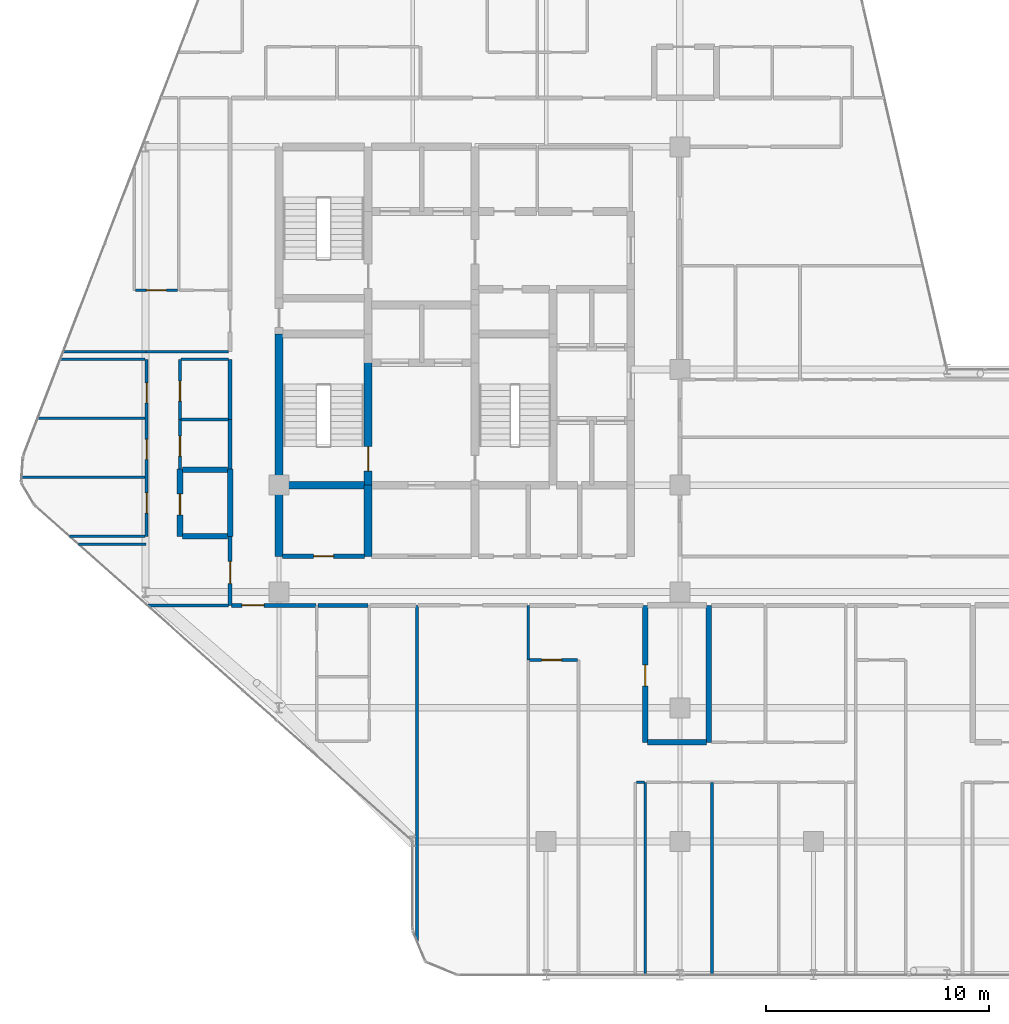
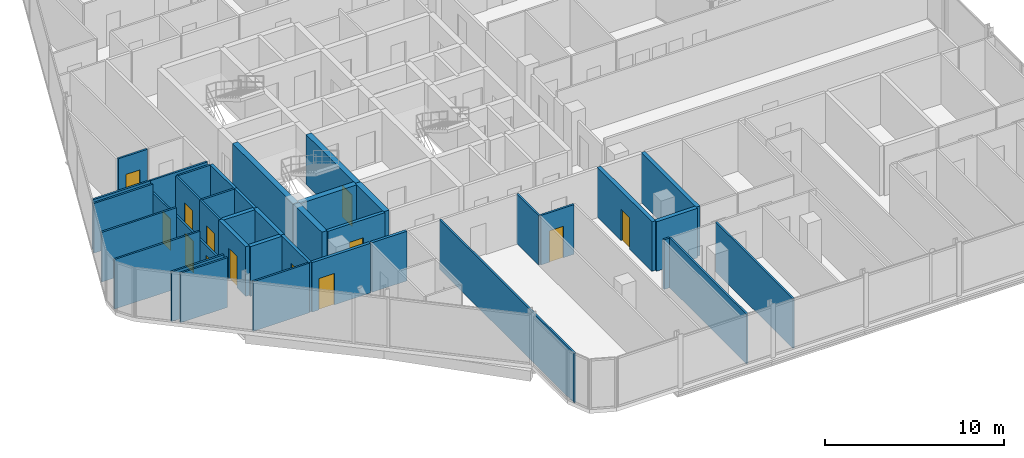
# One storey, part 23 of 29: 38 walls, 13 doors, 13 openings.
"""IFC4 building model written with IfcOpenShell, lengths in metres."""

from ifc_helpers import new_model, si_unit, direction, frame, frame_2d, origin, place, context, subcontext, project, spatial, rectangle, extrude, material, layer, layer_set, type_object, element, fill, save


model = new_model("IFC4")

# Units and contexts
model_context = context("Model", 3, precision=1e-05, world=origin(), true_north=direction((0.0, 1.0)))
body_context = subcontext(model_context, "Body", "Model", "MODEL_VIEW")
ifc_project = project(units=[si_unit("LENGTHUNIT", "METRE"), si_unit("AREAUNIT", "SQUARE_METRE"), si_unit("VOLUMEUNIT", "CUBIC_METRE"), si_unit("PLANEANGLEUNIT", "RADIAN"), si_unit("MASSUNIT", "GRAM", prefix="KILO")], contexts=[model_context])

# Site, building, storey
site_placement = place(None, origin())
site = spatial("IfcSite", under=ifc_project, at=site_placement, CompositionType="ELEMENT")
building_placement = place(site_placement, origin())
building = spatial("IfcBuilding", under=site, at=building_placement, Name="Keshet Zoharim Tower", CompositionType="ELEMENT")
storey_placement = place(building_placement, frame((0.0, 0.0, 192.10009765625)))
storey = spatial("IfcBuildingStorey", under=building, at=storey_placement, Name="L47", CompositionType="ELEMENT", Elevation=192.10009765625)

# Walls
ifc_material_1 = material(Name="Concrete C60/75", Category="concrete")
ifc_layer_1 = layer(ifc_material_1, 0.35009765625)
ifc_layer_set_1 = layer_set([ifc_layer_1], Name="Concrete C60/75")
wall_type_1 = type_object("IfcWallType", Name="WL-CORE-350", PredefinedType="SHEAR", material=ifc_layer_set_1)
wall_1_placement = place(storey_placement, frame((15.0, 19.5, 0.0), z_axis=(0.0, 0.0, 1.0), x_axis=(0.0, 1.0, 0.0)))
element("IfcWall", 1, at=wall_1_placement, inside=storey, type_object=wall_type_1, Name="L47 Core Shear Wall 016", PredefinedType="SHEAR", context=body_context, shape_type="SweptSolid", body=[
    extrude(rectangle(XDim=3.199951171875, YDim=0.35009765625, at=frame_2d((1.60009765625, 0.0))), origin(), (0.0, 0.0, 1.0), 3.389892578125),
])
wall_2_placement = place(storey_placement, frame((15.0, 22.699951171875, 0.0), z_axis=(0.0, 0.0, 1.0), x_axis=(0.0, 1.0, 0.0)))
element("IfcWall", 2, at=wall_2_placement, inside=storey, type_object=wall_type_1, Name="L47 Core Shear Wall 017", PredefinedType="SHEAR", context=body_context, shape_type="SweptSolid", body=[
    extrude(rectangle(XDim=6.800048828125, YDim=0.35009765625, at=frame_2d((3.39990234375, 0.0))), origin(), (0.0, 0.0, 1.0), 3.389892578125),
])
wall_3_placement = place(storey_placement, frame((19.0, 19.5, 0.0), z_axis=(0.0, 0.0, 1.0), x_axis=(0.0, 1.0, 0.0)))
element("IfcWall", 3, at=wall_3_placement, inside=storey, type_object=wall_type_1, Name="L47 Core Shear Wall 024", PredefinedType="SHEAR", context=body_context, shape_type="SweptSolid", body=[
    extrude(rectangle(XDim=3.199951171875, YDim=0.35009765625, at=frame_2d((1.60009765625, 0.0))), origin(), (0.0, 0.0, 1.0), 3.389892578125),
])

# Wall, opening, door
wall_4_placement = place(storey_placement, frame((19.0, 22.699951171875, 0.0), z_axis=(0.0, 0.0, 1.0), x_axis=(0.0, 1.0, 0.0)))
wall_4 = element("IfcWall", 4, at=wall_4_placement, inside=storey, type_object=wall_type_1, Name="L47 Core Shear Wall 025", PredefinedType="SHEAR", context=body_context, shape_type="SweptSolid", body=[
    extrude(rectangle(XDim=5.5, YDim=0.35009765625, at=frame_2d((2.75, 0.0))), origin(), (0.0, 0.0, 1.0), 3.389892578125),
])
opening_1_placement = place(wall_4_placement, frame((0.631103515625, 0.0, 0.0)))
opening_1 = element("IfcOpeningElement", 5, at=opening_1_placement, cuts=wall_4, Name="Opening D-F611", PredefinedType="OPENING", context=body_context, shape_type="SweptSolid", body=[
    extrude(rectangle(XDim=1.10009765625, YDim=2.14990234375, at=frame_2d((0.550048828125, 1.074951171875))), frame((0.0, 0.18505859375, 0.0), z_axis=(0.0, -1.0, 0.0), x_axis=(1.0, 0.0, 0.0)), (0.0, 0.0, 1.0), 0.3701171875),
])
ifc_material_2 = material(Name="Hardwood Timber", Category="wood")
door_type_1 = type_object("IfcDoorType", Name="DR-FD60-110", OperationType="NOTDEFINED", PredefinedType="DOOR", material=ifc_material_2)
door_1_placement = place(opening_1_placement, origin())
door_1 = element("IfcDoor", 6, at=door_1_placement, inside=storey, type_object=door_type_1, Name="L47 Exit Stair ST-01 Fire Door", OperationType="SINGLE_SWING_RIGHT", OverallHeight=2.14990234375, OverallWidth=1.10009765625, PredefinedType="DOOR", context=body_context, shape_type="SweptSolid", body=[
    extrude(rectangle(XDim=1.10009765625, YDim=2.14990234375, at=frame_2d((0.550048828125, 1.074951171875))), frame((0.0, 0.02490234375, 0.0), z_axis=(0.0, -1.0, 0.0), x_axis=(1.0, 0.0, 0.0)), (0.0, 0.0, 1.0), 0.050048828125),
])
fill(opening_1, door_1)

# Wall
wall_5_placement = place(storey_placement, frame((15.159912109375, 22.699951171875, 0.0), z_axis=(0.0, 0.0, 1.0), x_axis=(1.0, 0.0, 0.0)))
element("IfcWall", 7, at=wall_5_placement, inside=storey, type_object=wall_type_1, Name="L47 Core Shear Wall 142", PredefinedType="SHEAR", context=body_context, shape_type="SweptSolid", body=[
    extrude(rectangle(XDim=3.68017578125, YDim=0.35009765625, at=frame_2d((1.840087890625, 0.0))), origin(), (0.0, 0.0, 1.0), 3.389892578125),
])

# Wall, opening, door
ifc_material_3 = material(Name="Gypsum Plasterboard", Category="gypsum")
ifc_layer_2 = layer(ifc_material_3, 0.179931640625)
ifc_layer_set_2 = layer_set([ifc_layer_2], Name="Gypsum Plasterboard")
wall_type_2 = type_object("IfcWallType", Name="WL-CORR-180", PredefinedType="STANDARD", material=ifc_layer_set_2)
wall_6_placement = place(storey_placement, frame((12.800048828125, 17.300048828125, 0.0), z_axis=(0.0, 0.0, 1.0), x_axis=(0.0, 1.0, 0.0)))
wall_6 = element("IfcWall", 8, at=wall_6_placement, inside=storey, type_object=wall_type_2, Name="L47 Interior Wall 007", PredefinedType="STANDARD", context=body_context, shape_type="SweptSolid", body=[
    extrude(rectangle(XDim=3.099853515625, YDim=0.179931640625, at=frame_2d((1.5498046875, 0.0))), origin(), (0.0, 0.0, 1.0), 3.389892578125),
])
opening_2_placement = place(wall_6_placement, frame((0.97802734375, 0.0, 0.0)))
opening_2 = element("IfcOpeningElement", 9, at=opening_2_placement, cuts=wall_6, Name="Opening D-F310", PredefinedType="OPENING", context=body_context, shape_type="SweptSolid", body=[
    extrude(rectangle(XDim=1.0, YDim=2.14990234375, at=frame_2d((0.5, 1.074951171875))), frame((0.0, 0.10009765625, 0.0), z_axis=(0.0, -1.0, 0.0), x_axis=(1.0, 0.0, 0.0)), (0.0, 0.0, 1.0), 0.199951171875),
])
door_type_2 = type_object("IfcDoorType", Name="DR-FD30-100", OperationType="NOTDEFINED", PredefinedType="DOOR", material=ifc_material_2)
door_2_placement = place(opening_2_placement, origin())
door_2 = element("IfcDoor", 10, at=door_2_placement, inside=storey, type_object=door_type_2, Name="Apartment 4706 Entrance Door", OperationType="SINGLE_SWING_RIGHT", OverallHeight=2.14990234375, OverallWidth=1.0, PredefinedType="DOOR", context=body_context, shape_type="SweptSolid", body=[
    extrude(rectangle(XDim=1.0, YDim=2.14990234375, at=frame_2d((0.5, 1.074951171875))), frame((0.0, 0.02490234375, 0.0), z_axis=(0.0, -1.0, 0.0), x_axis=(1.0, 0.0, 0.0)), (0.0, 0.0, 1.0), 0.050048828125),
])
fill(opening_2, door_2)

# Walls
wall_7_placement = place(storey_placement, frame((12.800048828125, 23.4208984375, 0.0), z_axis=(0.0, 0.0, 1.0), x_axis=(0.0, 1.0, 0.0)))
element("IfcWall", 11, at=wall_7_placement, inside=storey, type_object=wall_type_2, Name="L47 Interior Wall 009", PredefinedType="STANDARD", context=body_context, shape_type="SweptSolid", body=[
    extrude(rectangle(XDim=2.22607421875, YDim=0.179931640625, at=frame_2d((1.113037109375, 0.0))), origin(), (0.0, 0.0, 1.0), 3.389892578125),
])
wall_8_placement = place(storey_placement, frame((12.800048828125, 25.64697265625, 0.0), z_axis=(0.0, 0.0, 1.0), x_axis=(0.0, 1.0, 0.0)))
element("IfcWall", 12, at=wall_8_placement, inside=storey, type_object=wall_type_2, Name="L47 Interior Wall 010", PredefinedType="STANDARD", context=body_context, shape_type="SweptSolid", body=[
    extrude(rectangle(XDim=2.703125, YDim=0.179931640625, at=frame_2d((1.3515625, 0.0))), origin(), (0.0, 0.0, 1.0), 3.389892578125),
])

# Wall, opening, door
wall_9_placement = place(storey_placement, frame((12.875, 17.300048828125, 0.0), z_axis=(0.0, 0.0, 1.0), x_axis=(1.0, 0.0, 0.0)))
wall_9 = element("IfcWall", 13, at=wall_9_placement, inside=storey, type_object=wall_type_2, Name="L47 Interior Wall 120", PredefinedType="STANDARD", context=body_context, shape_type="SweptSolid", body=[
    extrude(rectangle(XDim=3.780029296875, YDim=0.179931640625, at=frame_2d((1.89013671875, 0.0))), origin(), (0.0, 0.0, 1.0), 3.389892578125),
])
opening_3_placement = place(wall_9_placement, frame((0.4580078125, 0.0, 0.0)))
opening_3 = element("IfcOpeningElement", 14, at=opening_3_placement, cuts=wall_9, Name="Opening D-F310", PredefinedType="OPENING", context=body_context, shape_type="SweptSolid", body=[
    extrude(rectangle(XDim=1.0, YDim=2.14990234375, at=frame_2d((0.5, 1.074951171875))), frame((0.0, 0.10009765625, 0.0), z_axis=(0.0, -1.0, 0.0), x_axis=(1.0, 0.0, 0.0)), (0.0, 0.0, 1.0), 0.199951171875),
])
door_3_placement = place(opening_3_placement, origin())
door_3 = element("IfcDoor", 15, at=door_3_placement, inside=storey, type_object=door_type_2, Name="Apartment 4701 Entrance Door", OperationType="SINGLE_SWING_LEFT", OverallHeight=2.14990234375, OverallWidth=1.0, PredefinedType="DOOR", context=body_context, shape_type="SweptSolid", body=[
    extrude(rectangle(XDim=1.0, YDim=2.14990234375, at=frame_2d((0.5, 1.074951171875))), frame((0.0, 0.02490234375, 0.0), z_axis=(0.0, -1.0, 0.0), x_axis=(1.0, 0.0, 0.0)), (0.0, 0.0, 1.0), 0.050048828125),
])
fill(opening_3, door_3)

# Wall
wall_10_placement = place(storey_placement, frame((16.7451171875, 17.300048828125, 0.0), z_axis=(0.0, 0.0, 1.0), x_axis=(1.0, 0.0, 0.0)))
element("IfcWall", 16, at=wall_10_placement, inside=storey, type_object=wall_type_2, Name="L47 Interior Wall 121", PredefinedType="STANDARD", context=body_context, shape_type="SweptSolid", body=[
    extrude(rectangle(XDim=2.259765625, YDim=0.179931640625, at=frame_2d((1.1298828125, 0.0))), origin(), (0.0, 0.0, 1.0), 3.389892578125),
])

# Wall, opening, door
ifc_material_4 = material(Name="Concrete C50/60", Category="concrete")
ifc_layer_3 = layer(ifc_material_4, 0.199951171875)
ifc_layer_set_3 = layer_set([ifc_layer_3], Name="Concrete C50/60")
wall_type_3 = type_object("IfcWallType", Name="WL-FIRE-200", PredefinedType="STANDARD", material=ifc_layer_set_3)
wall_11_placement = place(storey_placement, frame((15.159912109375, 19.5, 0.0), z_axis=(0.0, 0.0, 1.0), x_axis=(1.0, 0.0, 0.0)))
wall_11 = element("IfcWall", 17, at=wall_11_placement, inside=storey, type_object=wall_type_3, Name="L47 Interior Wall 134", PredefinedType="STANDARD", context=body_context, shape_type="SweptSolid", body=[
    extrude(rectangle(XDim=3.68017578125, YDim=0.199951171875, at=frame_2d((1.840087890625, 0.0))), origin(), (0.0, 0.0, 1.0), 3.389892578125),
])
opening_4_placement = place(wall_11_placement, frame((1.389892578125, 0.0, 0.0)))
opening_4 = element("IfcOpeningElement", 18, at=opening_4_placement, cuts=wall_11, Name="Opening D-F690", PredefinedType="OPENING", context=body_context, shape_type="SweptSolid", body=[
    extrude(rectangle(XDim=0.89990234375, YDim=2.14990234375, at=frame_2d((0.449951171875, 1.074951171875))), frame((0.0, 0.10986328125, 0.0), z_axis=(0.0, -1.0, 0.0), x_axis=(1.0, 0.0, 0.0)), (0.0, 0.0, 1.0), 0.219970703125),
])
door_type_3 = type_object("IfcDoorType", Name="DR-FD60-090", OperationType="NOTDEFINED", PredefinedType="DOOR", material=ifc_material_2)
door_4_placement = place(opening_4_placement, origin())
door_4 = element("IfcDoor", 19, at=door_4_placement, inside=storey, type_object=door_type_3, Name="L47 Pram Store Door", OperationType="SINGLE_SWING_LEFT", OverallHeight=2.14990234375, OverallWidth=0.89990234375, PredefinedType="DOOR", context=body_context, shape_type="SweptSolid", body=[
    extrude(rectangle(XDim=0.89990234375, YDim=2.14990234375, at=frame_2d((0.449951171875, 1.074951171875))), frame((0.0, 0.02490234375, 0.0), z_axis=(0.0, -1.0, 0.0), x_axis=(1.0, 0.0, 0.0)), (0.0, 0.0, 1.0), 0.050048828125),
])
fill(opening_4, door_4)

ifc_layer_4 = layer(ifc_material_4, 0.25)
ifc_layer_set_4 = layer_set([ifc_layer_4], Name="Concrete C50/60")
wall_type_4 = type_object("IfcWallType", Name="WL-MAMAD-250", PredefinedType="STANDARD", material=ifc_layer_set_4)
wall_12_placement = place(storey_placement, frame((10.550048828125, 20.39990234375, 0.0), z_axis=(0.0, 0.0, 1.0), x_axis=(0.0, 1.0, 0.0)))
wall_12 = element("IfcWall", 20, at=wall_12_placement, inside=storey, type_object=wall_type_4, Name="L47 Interior Wall 004", PredefinedType="STANDARD", context=body_context, shape_type="SweptSolid", body=[
    extrude(rectangle(XDim=3.02099609375, YDim=0.25, at=frame_2d((1.510498046875, 0.0))), origin(), (0.0, 0.0, 1.0), 3.389892578125),
])
opening_5_placement = place(wall_12_placement, frame((0.964111328125, 0.0, 0.0)))
opening_5 = element("IfcOpeningElement", 21, at=opening_5_placement, cuts=wall_12, Name="Opening D-F695", PredefinedType="OPENING", context=body_context, shape_type="SweptSolid", body=[
    extrude(rectangle(XDim=0.949951171875, YDim=2.14990234375, at=frame_2d((0.47509765625, 1.074951171875))), frame((0.0, 0.135009765625, 0.0), z_axis=(0.0, -1.0, 0.0), x_axis=(1.0, 0.0, 0.0)), (0.0, 0.0, 1.0), 0.27001953125),
])
door_type_4 = type_object("IfcDoorType", Name="DR-FD60-095", OperationType="NOTDEFINED", PredefinedType="DOOR", material=ifc_material_2)
door_5_placement = place(opening_5_placement, origin())
door_5 = element("IfcDoor", 22, at=door_5_placement, inside=storey, type_object=door_type_4, Name="Apartment 4706 Study and Shelter Room Door", OperationType="SINGLE_SWING_LEFT", OverallHeight=2.14990234375, OverallWidth=0.949951171875, PredefinedType="DOOR", context=body_context, shape_type="SweptSolid", body=[
    extrude(rectangle(XDim=0.949951171875, YDim=2.14990234375, at=frame_2d((0.47509765625, 1.074951171875))), frame((0.0, 0.02490234375, 0.0), z_axis=(0.0, -1.0, 0.0), x_axis=(1.0, 0.0, 0.0)), (0.0, 0.0, 1.0), 0.050048828125),
])
fill(opening_5, door_5)

# Wall
wall_13_placement = place(storey_placement, frame((12.800048828125, 20.39990234375, 0.0), z_axis=(0.0, 0.0, 1.0), x_axis=(0.0, 1.0, 0.0)))
element("IfcWall", 23, at=wall_13_placement, inside=storey, type_object=wall_type_4, Name="L47 Interior Wall 008", PredefinedType="STANDARD", context=body_context, shape_type="SweptSolid", body=[
    extrude(rectangle(XDim=3.02099609375, YDim=0.25, at=frame_2d((1.510498046875, 0.0))), origin(), (0.0, 0.0, 1.0), 3.389892578125),
])

# Wall, opening, door
wall_14_placement = place(storey_placement, frame((31.449951171875, 11.14990234375, 0.0), z_axis=(0.0, 0.0, 1.0), x_axis=(0.0, 1.0, 0.0)))
wall_14 = element("IfcWall", 24, at=wall_14_placement, inside=storey, type_object=wall_type_4, Name="L47 Interior Wall 069", PredefinedType="STANDARD", context=body_context, shape_type="SweptSolid", body=[
    extrude(rectangle(XDim=6.150146484375, YDim=0.25, at=frame_2d((3.0751953125, 0.0))), origin(), (0.0, 0.0, 1.0), 3.389892578125),
])
opening_6_placement = place(wall_14_placement, frame((2.529052734375, 0.0, 0.0)))
opening_6 = element("IfcOpeningElement", 25, at=opening_6_placement, cuts=wall_14, Name="Opening D-F695", PredefinedType="OPENING", context=body_context, shape_type="SweptSolid", body=[
    extrude(rectangle(XDim=0.949951171875, YDim=2.14990234375, at=frame_2d((0.47509765625, 1.074951171875))), frame((0.0, 0.135009765625, 0.0), z_axis=(0.0, -1.0, 0.0), x_axis=(1.0, 0.0, 0.0)), (0.0, 0.0, 1.0), 0.27001953125),
])
door_6_placement = place(opening_6_placement, origin())
door_6 = element("IfcDoor", 26, at=door_6_placement, inside=storey, type_object=door_type_4, Name="Apartment 4702 Study and Shelter Room Door", OperationType="SINGLE_SWING_LEFT", OverallHeight=2.14990234375, OverallWidth=0.949951171875, PredefinedType="DOOR", context=body_context, shape_type="SweptSolid", body=[
    extrude(rectangle(XDim=0.949951171875, YDim=2.14990234375, at=frame_2d((0.47509765625, 1.074951171875))), frame((0.0, 0.02490234375, 0.0), z_axis=(0.0, -1.0, 0.0), x_axis=(1.0, 0.0, 0.0)), (0.0, 0.0, 1.0), 0.050048828125),
])
fill(opening_6, door_6)

# Walls
wall_15_placement = place(storey_placement, frame((34.300048828125, 11.14990234375, 0.0), z_axis=(0.0, 0.0, 1.0), x_axis=(0.0, 1.0, 0.0)))
element("IfcWall", 27, at=wall_15_placement, inside=storey, type_object=wall_type_4, Name="L47 Interior Wall 076", PredefinedType="STANDARD", context=body_context, shape_type="SweptSolid", body=[
    extrude(rectangle(XDim=6.150146484375, YDim=0.25, at=frame_2d((3.0751953125, 0.0))), origin(), (0.0, 0.0, 1.0), 3.389892578125),
])
wall_16_placement = place(storey_placement, frame((31.56005859375, 11.14990234375, 0.0), z_axis=(0.0, 0.0, 1.0), x_axis=(1.0, 0.0, 0.0)))
element("IfcWall", 28, at=wall_16_placement, inside=storey, type_object=wall_type_4, Name="L47 Interior Wall 109", PredefinedType="STANDARD", context=body_context, shape_type="SweptSolid", body=[
    extrude(rectangle(XDim=2.64501953125, YDim=0.25, at=frame_2d((1.322509765625, 0.0))), origin(), (0.0, 0.0, 1.0), 3.389892578125),
])
for number, where, z_axis, x_axis, name in (
    (29, (10.659912109375, 20.39990234375, 0.0), (0.0, 0.0, 1.0), (1.0, 0.0, 0.0), "L47 Interior Wall 141"),
    (30, (10.659912109375, 23.39990234375, 0.0), (0.0, 0.0, 1.0), (1.0, 0.0, 0.0), "L47 Interior Wall 148"),
):
    element("IfcWall", number, at=place(storey_placement, frame(where, z_axis=z_axis, x_axis=x_axis)), inside=storey, type_object=wall_type_4, Name=name, PredefinedType="STANDARD", context=body_context, shape_type="SweptSolid", body=[
        extrude(rectangle(XDim=2.030029296875, YDim=0.25, at=frame_2d((1.01513671875, 0.0))), origin(), (0.0, 0.0, 1.0), 3.389892578125),
    ])

# Wall, openings, doors
ifc_layer_5 = layer(ifc_material_3, 0.1201171875)
ifc_layer_set_5 = layer_set([ifc_layer_5], Name="Gypsum Plasterboard")
wall_type_5 = type_object("IfcWallType", Name="WL-PART-120", PredefinedType="PARTITIONING", material=ifc_layer_set_5)
wall_17_placement = place(storey_placement, frame((9.050048828125, 20.39990234375, 0.0), z_axis=(0.0, 0.0, 1.0), x_axis=(0.0, 1.0, 0.0)))
wall_17 = element("IfcWall", 31, at=wall_17_placement, inside=storey, type_object=wall_type_5, Name="L47 Interior Wall 002", PredefinedType="PARTITIONING", context=body_context, shape_type="SweptSolid", body=[
    extrude(rectangle(XDim=7.9501953125, YDim=0.1201171875, at=frame_2d((3.97509765625, 0.0))), origin(), (0.0, 0.0, 1.0), 2.789794921875),
])
opening_7_placement = place(wall_17_placement, frame((1.050048828125, 0.0, 0.0)))
opening_7 = element("IfcOpeningElement", 32, at=opening_7_placement, cuts=wall_17, Name="Opening D-IN90", PredefinedType="OPENING", context=body_context, shape_type="SweptSolid", body=[
    extrude(rectangle(XDim=0.89990234375, YDim=2.14990234375, at=frame_2d((0.449951171875, 1.074951171875))), frame((0.0, 0.070068359375, 0.0), z_axis=(0.0, -1.0, 0.0), x_axis=(1.0, 0.0, 0.0)), (0.0, 0.0, 1.0), 0.14013671875),
])
opening_8_placement = place(wall_17_placement, frame((3.455078125, 0.0, 0.0)))
opening_8 = element("IfcOpeningElement", 33, at=opening_8_placement, cuts=wall_17, Name="Opening D-IN90", PredefinedType="OPENING", context=body_context, shape_type="SweptSolid", body=[
    extrude(rectangle(XDim=0.89990234375, YDim=2.14990234375, at=frame_2d((0.449951171875, 1.074951171875))), frame((0.0, 0.070068359375, 0.0), z_axis=(0.0, -1.0, 0.0), x_axis=(1.0, 0.0, 0.0)), (0.0, 0.0, 1.0), 0.14013671875),
])
opening_9_placement = place(wall_17_placement, frame((6.0, 0.0, 0.0)))
opening_9 = element("IfcOpeningElement", 34, at=opening_9_placement, cuts=wall_17, Name="Opening D-IN90", PredefinedType="OPENING", context=body_context, shape_type="SweptSolid", body=[
    extrude(rectangle(XDim=0.89990234375, YDim=2.14990234375, at=frame_2d((0.449951171875, 1.074951171875))), frame((0.0, 0.070068359375, 0.0), z_axis=(0.0, -1.0, 0.0), x_axis=(1.0, 0.0, 0.0)), (0.0, 0.0, 1.0), 0.14013671875),
])
door_type_5 = type_object("IfcDoorType", Name="DR-INT-090", OperationType="NOTDEFINED", PredefinedType="DOOR", material=ifc_material_2)
door_7_placement = place(opening_7_placement, origin())
door_7 = element("IfcDoor", 35, at=door_7_placement, inside=storey, type_object=door_type_5, Name="Apartment 4706 Bedroom 1 Door", OperationType="SINGLE_SWING_RIGHT", OverallHeight=2.14990234375, OverallWidth=0.89990234375, PredefinedType="DOOR", context=body_context, shape_type="SweptSolid", body=[
    extrude(rectangle(XDim=0.89990234375, YDim=2.14990234375, at=frame_2d((0.449951171875, 1.074951171875))), frame((0.0, 0.02490234375, 0.0), z_axis=(0.0, -1.0, 0.0), x_axis=(1.0, 0.0, 0.0)), (0.0, 0.0, 1.0), 0.050048828125),
])
fill(opening_7, door_7)
door_8_placement = place(opening_8_placement, origin())
door_8 = element("IfcDoor", 36, at=door_8_placement, inside=storey, type_object=door_type_5, Name="Apartment 4706 Bedroom 2 Door", OperationType="SINGLE_SWING_LEFT", OverallHeight=2.14990234375, OverallWidth=0.89990234375, PredefinedType="DOOR", context=body_context, shape_type="SweptSolid", body=[
    extrude(rectangle(XDim=0.89990234375, YDim=2.14990234375, at=frame_2d((0.449951171875, 1.074951171875))), frame((0.0, 0.02490234375, 0.0), z_axis=(0.0, -1.0, 0.0), x_axis=(1.0, 0.0, 0.0)), (0.0, 0.0, 1.0), 0.050048828125),
])
fill(opening_8, door_8)
door_9_placement = place(opening_9_placement, origin())
door_9 = element("IfcDoor", 37, at=door_9_placement, inside=storey, type_object=door_type_5, Name="Apartment 4706 Bedroom 3 Door", OperationType="SINGLE_SWING_RIGHT", OverallHeight=2.14990234375, OverallWidth=0.89990234375, PredefinedType="DOOR", context=body_context, shape_type="SweptSolid", body=[
    extrude(rectangle(XDim=0.89990234375, YDim=2.14990234375, at=frame_2d((0.449951171875, 1.074951171875))), frame((0.0, 0.02490234375, 0.0), z_axis=(0.0, -1.0, 0.0), x_axis=(1.0, 0.0, 0.0)), (0.0, 0.0, 1.0), 0.050048828125),
])
fill(opening_9, door_9)

# Wall, opening, door
wall_18_placement = place(storey_placement, frame((10.550048828125, 25.64697265625, 0.0), z_axis=(0.0, 0.0, 1.0), x_axis=(0.0, 1.0, 0.0)))
wall_18 = element("IfcWall", 38, at=wall_18_placement, inside=storey, type_object=wall_type_5, Name="L47 Interior Wall 006", PredefinedType="PARTITIONING", context=body_context, shape_type="SweptSolid", body=[
    extrude(rectangle(XDim=2.703125, YDim=0.1201171875, at=frame_2d((1.3515625, 0.0))), origin(), (0.0, 0.0, 1.0), 3.389892578125),
])
opening_10_placement = place(wall_18_placement, frame((0.830078125, 0.0, 0.0)))
opening_10 = element("IfcOpeningElement", 39, at=opening_10_placement, cuts=wall_18, Name="Opening D-IN90", PredefinedType="OPENING", context=body_context, shape_type="SweptSolid", body=[
    extrude(rectangle(XDim=0.89990234375, YDim=2.14990234375, at=frame_2d((0.449951171875, 1.074951171875))), frame((0.0, 0.070068359375, 0.0), z_axis=(0.0, -1.0, 0.0), x_axis=(1.0, 0.0, 0.0)), (0.0, 0.0, 1.0), 0.14013671875),
])
door_10_placement = place(opening_10_placement, origin())
door_10 = element("IfcDoor", 40, at=door_10_placement, inside=storey, type_object=door_type_5, Name="Apartment 4706 Kitchen Door", OperationType="SINGLE_SWING_LEFT", OverallHeight=2.14990234375, OverallWidth=0.89990234375, PredefinedType="DOOR", context=body_context, shape_type="SweptSolid", body=[
    extrude(rectangle(XDim=0.89990234375, YDim=2.14990234375, at=frame_2d((0.449951171875, 1.074951171875))), frame((0.0, 0.02490234375, 0.0), z_axis=(0.0, -1.0, 0.0), x_axis=(1.0, 0.0, 0.0)), (0.0, 0.0, 1.0), 0.050048828125),
])
fill(opening_10, door_10)

# Walls
wall_19_placement = place(storey_placement, frame((21.199951171875, 2.22705078125, 0.0), z_axis=(0.0, 0.0, 1.0), x_axis=(0.0, 1.0, 0.0)))
element("IfcWall", 41, at=wall_19_placement, inside=storey, type_object=wall_type_5, Name="L47 Interior Wall 031", PredefinedType="PARTITIONING", context=body_context, shape_type="SweptSolid", body=[
    extrude(rectangle(XDim=15.072998046875, YDim=0.1201171875, at=frame_2d((7.53662109375, 0.0))), origin(), (0.0, 0.0, 1.0), 3.389892578125),
])
wall_20_placement = place(storey_placement, frame((26.199951171875, 14.85009765625, 0.0), z_axis=(0.0, 0.0, 1.0), x_axis=(0.0, 1.0, 0.0)))
element("IfcWall", 42, at=wall_20_placement, inside=storey, type_object=wall_type_5, Name="L47 Interior Wall 046", PredefinedType="PARTITIONING", context=body_context, shape_type="SweptSolid", body=[
    extrude(rectangle(XDim=2.449951171875, YDim=0.1201171875, at=frame_2d((1.22509765625, 0.0))), origin(), (0.0, 0.0, 1.0), 3.389892578125),
])
for number, where, z_axis, x_axis, name in (
    (43, (31.449951171875, 0.7099609375, 0.0), (0.0, 0.0, 1.0), (0.0, 1.0, 0.0), "L47 Interior Wall 068"),
    (44, (34.449951171875, 0.7099609375, 0.0), (0.0, 0.0, 1.0), (0.0, 1.0, 0.0), "L47 Interior Wall 077"),
):
    element("IfcWall", number, at=place(storey_placement, frame(where, z_axis=z_axis, x_axis=x_axis)), inside=storey, type_object=wall_type_5, Name=name, PredefinedType="PARTITIONING", context=body_context, shape_type="SweptSolid", body=[
        extrude(rectangle(XDim=8.64013671875, YDim=0.1201171875, at=frame_2d((4.320068359375, 0.0))), origin(), (0.0, 0.0, 1.0), 3.389892578125),
    ])
wall_21_placement = place(storey_placement, frame((31.044921875, 9.35009765625, 0.0), z_axis=(0.0, 0.0, 1.0), x_axis=(1.0, 0.0, 0.0)))
element("IfcWall", 45, at=wall_21_placement, inside=storey, type_object=wall_type_5, Name="L47 Interior Wall 104", PredefinedType="PARTITIONING", context=body_context, shape_type="SweptSolid", body=[
    extrude(rectangle(XDim=0.360107421875, YDim=0.1201171875, at=frame_2d((0.18017578125, 0.0))), origin(), (0.0, 0.0, 1.0), 3.389892578125),
])

# Wall, opening, door
wall_22_placement = place(storey_placement, frame((26.2451171875, 14.85009765625, 0.0), z_axis=(0.0, 0.0, 1.0), x_axis=(1.0, 0.0, 0.0)))
wall_22 = element("IfcWall", 46, at=wall_22_placement, inside=storey, type_object=wall_type_5, Name="L47 Interior Wall 117", PredefinedType="PARTITIONING", context=body_context, shape_type="SweptSolid", body=[
    extrude(rectangle(XDim=2.159912109375, YDim=0.1201171875, at=frame_2d((1.080078125, 0.0))), origin(), (0.0, 0.0, 1.0), 3.389892578125),
])
opening_11_placement = place(wall_22_placement, frame((0.552978515625, 0.0, 0.0)))
opening_11 = element("IfcOpeningElement", 47, at=opening_11_placement, cuts=wall_22, Name="Opening D-IN90", PredefinedType="OPENING", context=body_context, shape_type="SweptSolid", body=[
    extrude(rectangle(XDim=0.89990234375, YDim=2.14990234375, at=frame_2d((0.449951171875, 1.074951171875))), frame((0.0, 0.070068359375, 0.0), z_axis=(0.0, -1.0, 0.0), x_axis=(1.0, 0.0, 0.0)), (0.0, 0.0, 1.0), 0.14013671875),
])
door_11_placement = place(opening_11_placement, origin())
door_11 = element("IfcDoor", 48, at=door_11_placement, inside=storey, type_object=door_type_5, Name="Apartment 4702 Formal Dining Room Door", OperationType="SINGLE_SWING_LEFT", OverallHeight=2.14990234375, OverallWidth=0.89990234375, PredefinedType="DOOR", context=body_context, shape_type="SweptSolid", body=[
    extrude(rectangle(XDim=0.89990234375, YDim=2.14990234375, at=frame_2d((0.449951171875, 1.074951171875))), frame((0.0, 0.02490234375, 0.0), z_axis=(0.0, -1.0, 0.0), x_axis=(1.0, 0.0, 0.0)), (0.0, 0.0, 1.0), 0.050048828125),
])
fill(opening_11, door_11)

# Walls
wall_23_placement = place(storey_placement, frame((9.0849609375, 17.300048828125, 0.0), z_axis=(0.0, 0.0, 1.0), x_axis=(1.0, 0.0, 0.0)))
element("IfcWall", 49, at=wall_23_placement, inside=storey, type_object=wall_type_5, Name="L47 Interior Wall 119", PredefinedType="PARTITIONING", context=body_context, shape_type="SweptSolid", body=[
    extrude(rectangle(XDim=3.64013671875, YDim=0.1201171875, at=frame_2d((1.820068359375, 0.0))), origin(), (0.0, 0.0, 1.0), 3.389892578125),
])
wall_24_placement = place(storey_placement, frame((5.990966796875, 20.050048828125, 0.0), z_axis=(0.0, 0.0, 1.0), x_axis=(1.0, 0.0, 0.0)))
element("IfcWall", 50, at=wall_24_placement, inside=storey, type_object=wall_type_5, Name="L47 Interior Wall 139", PredefinedType="PARTITIONING", context=body_context, shape_type="SweptSolid", body=[
    extrude(rectangle(XDim=3.0390625, YDim=0.1201171875, at=frame_2d((1.51953125, 0.0))), origin(), (0.0, 0.0, 1.0), 3.389892578125),
])
wall_25_placement = place(storey_placement, frame((5.596923828125, 20.39990234375, 0.0), z_axis=(0.0, 0.0, 1.0), x_axis=(1.0, 0.0, 0.0)))
element("IfcWall", 51, at=wall_25_placement, inside=storey, type_object=wall_type_5, Name="L47 Interior Wall 140", PredefinedType="PARTITIONING", context=body_context, shape_type="SweptSolid", body=[
    extrude(rectangle(XDim=3.38818359375, YDim=0.1201171875, at=frame_2d((1.694091796875, 0.0))), origin(), (0.0, 0.0, 1.0), 3.389892578125),
])
wall_26_placement = place(storey_placement, frame((3.446044921875, 23.050048828125, 0.0), z_axis=(0.0, 0.0, 1.0), x_axis=(1.0, 0.0, 0.0)))
element("IfcWall", 52, at=wall_26_placement, inside=storey, type_object=wall_type_5, Name="L47 Interior Wall 147", PredefinedType="PARTITIONING", context=body_context, shape_type="SweptSolid", body=[
    extrude(rectangle(XDim=5.5390625, YDim=0.1201171875, at=frame_2d((2.76953125, 0.0))), origin(), (0.0, 0.0, 1.0), 3.389892578125),
])
wall_27_placement = place(storey_placement, frame((4.1640625, 25.699951171875, 0.0), z_axis=(0.0, 0.0, 1.0), x_axis=(1.0, 0.0, 0.0)))
element("IfcWall", 53, at=wall_27_placement, inside=storey, type_object=wall_type_5, Name="L47 Interior Wall 152", PredefinedType="PARTITIONING", context=body_context, shape_type="SweptSolid", body=[
    extrude(rectangle(XDim=4.821044921875, YDim=0.1201171875, at=frame_2d((2.41064453125, 0.0))), origin(), (0.0, 0.0, 1.0), 3.389892578125),
])
wall_28_placement = place(storey_placement, frame((5.18310546875, 28.35009765625, 0.0), z_axis=(0.0, 0.0, 1.0), x_axis=(1.0, 0.0, 0.0)))
element("IfcWall", 54, at=wall_28_placement, inside=storey, type_object=wall_type_5, Name="L47 Interior Wall 157", PredefinedType="PARTITIONING", context=body_context, shape_type="SweptSolid", body=[
    extrude(rectangle(XDim=3.802001953125, YDim=0.1201171875, at=frame_2d((1.90087890625, 0.0))), origin(), (0.0, 0.0, 1.0), 3.389892578125),
])
wall_29_placement = place(storey_placement, frame((10.594970703125, 28.35009765625, 0.0), z_axis=(0.0, 0.0, 1.0), x_axis=(1.0, 0.0, 0.0)))
element("IfcWall", 55, at=wall_29_placement, inside=storey, type_object=wall_type_5, Name="L47 Interior Wall 158", PredefinedType="PARTITIONING", context=body_context, shape_type="SweptSolid", body=[
    extrude(rectangle(XDim=2.130126953125, YDim=0.1201171875, at=frame_2d((1.06494140625, 0.0))), origin(), (0.0, 0.0, 1.0), 3.389892578125),
])
wall_30_placement = place(storey_placement, frame((5.31689453125, 28.699951171875, 0.0), z_axis=(0.0, 0.0, 1.0), x_axis=(1.0, 0.0, 0.0)))
element("IfcWall", 56, at=wall_30_placement, inside=storey, type_object=wall_type_5, Name="L47 Interior Wall 159", PredefinedType="PARTITIONING", context=body_context, shape_type="SweptSolid", body=[
    extrude(rectangle(XDim=3.713134765625, YDim=0.1201171875, at=frame_2d((1.8564453125, 0.0))), origin(), (0.0, 0.0, 1.0), 3.389892578125),
])
wall_31_placement = place(storey_placement, frame((9.030029296875, 28.699951171875, 0.0), z_axis=(0.0, 0.0, 1.0), x_axis=(1.0, 0.0, 0.0)))
element("IfcWall", 57, at=wall_31_placement, inside=storey, type_object=wall_type_5, Name="L47 Interior Wall 160", PredefinedType="PARTITIONING", context=body_context, shape_type="SweptSolid", body=[
    extrude(rectangle(XDim=3.695068359375, YDim=0.1201171875, at=frame_2d((1.84765625, 0.0))), origin(), (0.0, 0.0, 1.0), 3.389892578125),
])

# Wall, opening, door
wall_32_placement = place(storey_placement, frame((8.544921875, 31.449951171875, 0.0), z_axis=(0.0, 0.0, 1.0), x_axis=(1.0, 0.0, 0.0)))
wall_32 = element("IfcWall", 58, at=wall_32_placement, inside=storey, type_object=wall_type_5, Name="L47 Interior Wall 166", PredefinedType="PARTITIONING", context=body_context, shape_type="SweptSolid", body=[
    extrude(rectangle(XDim=1.88818359375, YDim=0.1201171875, at=frame_2d((0.944091796875, 0.0))), origin(), (0.0, 0.0, 1.0), 3.389892578125),
])
opening_12_placement = place(wall_32_placement, frame((0.493896484375, 0.0, 0.0)))
opening_12 = element("IfcOpeningElement", 59, at=opening_12_placement, cuts=wall_32, Name="Opening D-IN90", PredefinedType="OPENING", context=body_context, shape_type="SweptSolid", body=[
    extrude(rectangle(XDim=0.89990234375, YDim=2.14990234375, at=frame_2d((0.449951171875, 1.074951171875))), frame((0.0, 0.070068359375, 0.0), z_axis=(0.0, -1.0, 0.0), x_axis=(1.0, 0.0, 0.0)), (0.0, 0.0, 1.0), 0.14013671875),
])
door_12_placement = place(opening_12_placement, origin())
door_12 = element("IfcDoor", 60, at=door_12_placement, inside=storey, type_object=door_type_5, Name="Apartment 4707 Kitchen Door", OperationType="SINGLE_SWING_LEFT", OverallHeight=2.14990234375, OverallWidth=0.89990234375, PredefinedType="DOOR", context=body_context, shape_type="SweptSolid", body=[
    extrude(rectangle(XDim=0.89990234375, YDim=2.14990234375, at=frame_2d((0.449951171875, 1.074951171875))), frame((0.0, 0.02490234375, 0.0), z_axis=(0.0, -1.0, 0.0), x_axis=(1.0, 0.0, 0.0)), (0.0, 0.0, 1.0), 0.050048828125),
])
fill(opening_12, door_12)

ifc_layer_6 = layer(ifc_material_3, 0.1201171875)
ifc_layer_set_6 = layer_set([ifc_layer_6], Name="Gypsum Plasterboard")
wall_type_6 = type_object("IfcWallType", Name="WL-WET-120", PredefinedType="PARTITIONING", material=ifc_layer_set_6)
wall_33_placement = place(storey_placement, frame((10.550048828125, 23.4208984375, 0.0), z_axis=(0.0, 0.0, 1.0), x_axis=(0.0, 1.0, 0.0)))
wall_33 = element("IfcWall", 61, at=wall_33_placement, inside=storey, type_object=wall_type_6, Name="L47 Interior Wall 005", PredefinedType="PARTITIONING", context=body_context, shape_type="SweptSolid", body=[
    extrude(rectangle(XDim=2.22607421875, YDim=0.1201171875, at=frame_2d((1.113037109375, 0.0))), origin(), (0.0, 0.0, 1.0), 3.389892578125),
])
opening_13_placement = place(wall_33_placement, frame((0.583984375, 0.0, 0.0)))
opening_13 = element("IfcOpeningElement", 62, at=opening_13_placement, cuts=wall_33, Name="Opening D-WT90", PredefinedType="OPENING", context=body_context, shape_type="SweptSolid", body=[
    extrude(rectangle(XDim=0.89990234375, YDim=2.10009765625, at=frame_2d((0.449951171875, 1.050048828125))), frame((0.0, 0.070068359375, 0.0), z_axis=(0.0, -1.0, 0.0), x_axis=(1.0, 0.0, 0.0)), (0.0, 0.0, 1.0), 0.14013671875),
])
door_type_6 = type_object("IfcDoorType", Name="DR-WET-090", OperationType="NOTDEFINED", PredefinedType="DOOR", material=ifc_material_2)
door_13_placement = place(opening_13_placement, origin())
door_13 = element("IfcDoor", 63, at=door_13_placement, inside=storey, type_object=door_type_6, Name="Apartment 4706 Bathroom Door", OperationType="SINGLE_SWING_RIGHT", OverallHeight=2.10009765625, OverallWidth=0.89990234375, PredefinedType="DOOR", context=body_context, shape_type="SweptSolid", body=[
    extrude(rectangle(XDim=0.89990234375, YDim=2.10009765625, at=frame_2d((0.449951171875, 1.050048828125))), frame((0.0, 0.02490234375, 0.0), z_axis=(0.0, -1.0, 0.0), x_axis=(1.0, 0.0, 0.0)), (0.0, 0.0, 1.0), 0.050048828125),
])
fill(opening_13, door_13)

# Wall
wall_34_placement = place(storey_placement, frame((10.594970703125, 25.64990234375, 0.0), z_axis=(0.0, 0.0, 1.0), x_axis=(1.0, 0.0, 0.0)))
element("IfcWall", 64, at=wall_34_placement, inside=storey, type_object=wall_type_6, Name="L47 Interior Wall 151", PredefinedType="PARTITIONING", context=body_context, shape_type="SweptSolid", body=[
    extrude(rectangle(XDim=2.130126953125, YDim=0.1201171875, at=frame_2d((1.06494140625, 0.0))), origin(), (0.0, 0.0, 1.0), 3.389892578125),
])

save(model, "model.ifc")
